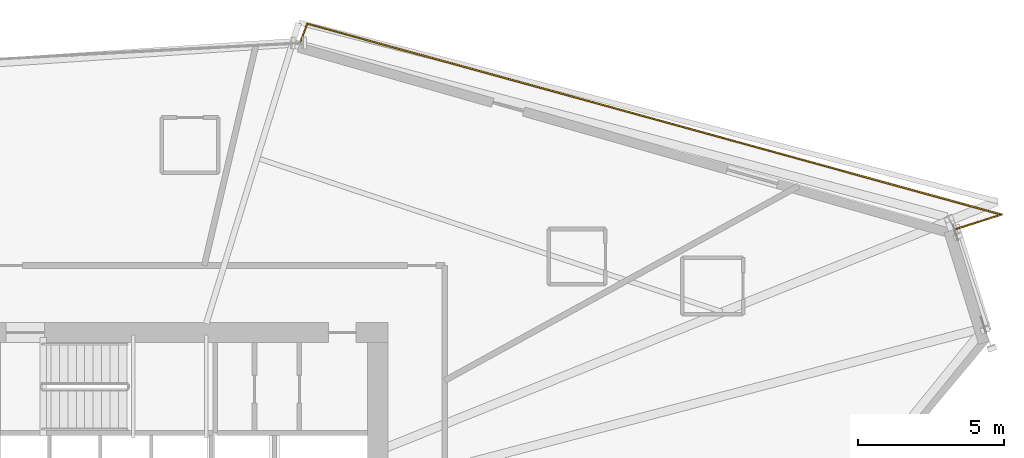
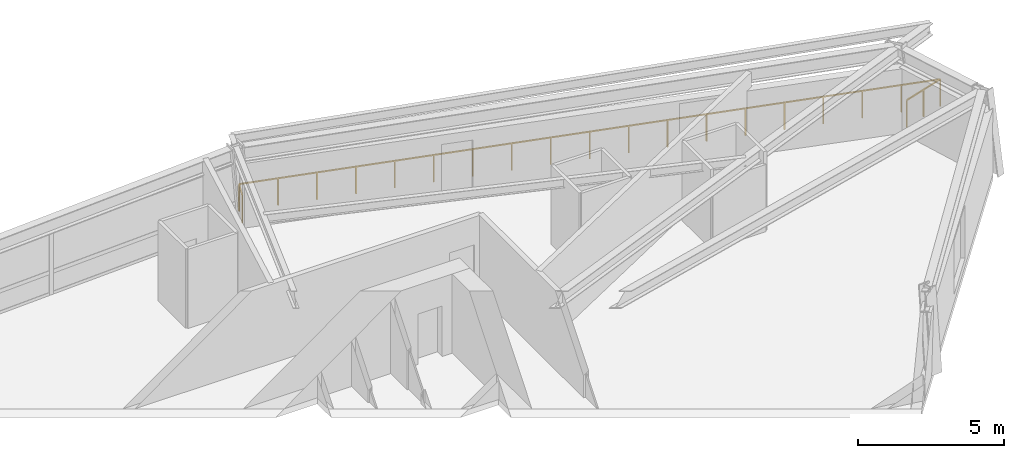
# One storey, part 21 of 21: 1 railing.
"""IFC4 building model written with IfcOpenShell, lengths in metres."""

from ifc_helpers import new_model, si_unit, direction, frame, origin, origin_2d, place, context, subcontext, project, spatial, rectangle, extrude, material, type_object, element, save


model = new_model("IFC4")

# Units and contexts
model_context = context("Model", 3, precision=1e-05, world=origin(), true_north=direction((0.0, 1.0)))
body_context = subcontext(model_context, "Body", "Model", "MODEL_VIEW")
ifc_project = project(units=[si_unit("LENGTHUNIT", "METRE"), si_unit("AREAUNIT", "SQUARE_METRE"), si_unit("VOLUMEUNIT", "CUBIC_METRE"), si_unit("PLANEANGLEUNIT", "RADIAN"), si_unit("MASSUNIT", "GRAM", prefix="KILO")], contexts=[model_context])

# Site, building, storey
site_placement = place(None, origin())
site = spatial("IfcSite", under=ifc_project, at=site_placement, CompositionType="ELEMENT")
building_placement = place(site_placement, origin())
building = spatial("IfcBuilding", under=site, at=building_placement, Name="Olszyna Solenne Hotel", CompositionType="ELEMENT")
storey_placement = place(building_placement, frame((0.0, 0.0, 105.699951171875)))
storey = spatial("IfcBuildingStorey", under=building, at=storey_placement, Name="L27", CompositionType="ELEMENT", Elevation=105.699951171875)

# Railing
ifc_material = material(Name="Anodised bronze aluminium", Category="aluminium")
railing_type = type_object("IfcRailingType", Name="GR-110", PredefinedType="BALUSTRADE", material=ifc_material)
railing_placement = place(storey_placement, frame((66.0634765625, 37.589599609375, 0.0)))
element("IfcRailing", 1, at=railing_placement, inside=storey, type_object=railing_type, Name="Loggia balcony balustrade guard GR-L27-LG1", PredefinedType="BALUSTRADE", context=body_context, shape_type="SweptSolid", body=[
    extrude(rectangle(XDim=0.048095703125, YDim=0.048095703125, at=origin_2d()), frame((0.0, 0.0, 1.1259765625), z_axis=(0.953626269863, 0.300993251465, 0.0), x_axis=(-0.300993251465, 0.953626269863, 0.0)), (0.0, 0.0, 1.0), 1.69189453125),
    extrude(rectangle(XDim=0.048095703125, YDim=0.048095703125, at=origin_2d()), frame((1.613525390625, 0.50927734375, 1.1259765625), z_axis=(-0.96418829644, 0.265218643779, 0.0), x_axis=(-0.265218643779, -0.96418829644, 0.0)), (0.0, 0.0, 1.0), 24.73828125),
    extrude(rectangle(XDim=0.048095703125, YDim=0.048095703125, at=origin_2d()), frame((-22.23876953125, 7.0703125, 1.1259765625), z_axis=(-0.354176894315, -0.935178446893, 0.0), x_axis=(0.935178446893, -0.354176894315, 0.0)), (0.0, 0.0, 1.0), 0.709228515625),
    extrude(rectangle(XDim=0.0419921875, YDim=0.0419921875, at=origin_2d()), origin(), (0.0, 0.0, 1.0), 1.101806640625),
    extrude(rectangle(XDim=0.0419921875, YDim=0.0419921875, at=origin_2d()), frame((0.806640625, 0.254638671875, 0.0)), (0.0, 0.0, 1.0), 1.101806640625),
    extrude(rectangle(XDim=0.0419921875, YDim=0.0419921875, at=origin_2d()), frame((1.613525390625, 0.50927734375, 0.0)), (0.0, 0.0, 1.0), 1.101806640625),
    extrude(rectangle(XDim=0.0419921875, YDim=0.0419921875, at=origin_2d()), frame((0.288330078125, 0.873779296875, 0.0)), (0.0, 0.0, 1.0), 1.101806640625),
    extrude(rectangle(XDim=0.0419921875, YDim=0.0419921875, at=origin_2d()), frame((-1.03662109375, 1.23828125, 0.0)), (0.0, 0.0, 1.0), 1.101806640625),
    extrude(rectangle(XDim=0.0419921875, YDim=0.0419921875, at=origin_2d()), frame((-2.36181640625, 1.602783203125, 0.0)), (0.0, 0.0, 1.0), 1.101806640625),
    extrude(rectangle(XDim=0.0419921875, YDim=0.0419921875, at=origin_2d()), frame((-3.68701171875, 1.96728515625, 0.0)), (0.0, 0.0, 1.0), 1.101806640625),
    extrude(rectangle(XDim=0.0419921875, YDim=0.0419921875, at=origin_2d()), frame((-5.01220703125, 2.331787109375, 0.0)), (0.0, 0.0, 1.0), 1.101806640625),
    extrude(rectangle(XDim=0.0419921875, YDim=0.0419921875, at=origin_2d()), frame((-6.337158203125, 2.6962890625, 0.0)), (0.0, 0.0, 1.0), 1.101806640625),
    extrude(rectangle(XDim=0.0419921875, YDim=0.0419921875, at=origin_2d()), frame((-7.662353515625, 3.060791015625, 0.0)), (0.0, 0.0, 1.0), 1.101806640625),
    extrude(rectangle(XDim=0.0419921875, YDim=0.0419921875, at=origin_2d()), frame((-8.987548828125, 3.42529296875, 0.0)), (0.0, 0.0, 1.0), 1.101806640625),
    extrude(rectangle(XDim=0.0419921875, YDim=0.0419921875, at=origin_2d()), frame((-10.3125, 3.789794921875, 0.0)), (0.0, 0.0, 1.0), 1.101806640625),
    extrude(rectangle(XDim=0.0419921875, YDim=0.0419921875, at=origin_2d()), frame((-11.6376953125, 4.154296875, 0.0)), (0.0, 0.0, 1.0), 1.101806640625),
    extrude(rectangle(XDim=0.0419921875, YDim=0.0419921875, at=origin_2d()), frame((-12.962890625, 4.518798828125, 0.0)), (0.0, 0.0, 1.0), 1.101806640625),
    extrude(rectangle(XDim=0.0419921875, YDim=0.0419921875, at=origin_2d()), frame((-14.2880859375, 4.88330078125, 0.0)), (0.0, 0.0, 1.0), 1.101806640625),
    extrude(rectangle(XDim=0.0419921875, YDim=0.0419921875, at=origin_2d()), frame((-15.613037109375, 5.247802734375, 0.0)), (0.0, 0.0, 1.0), 1.101806640625),
    extrude(rectangle(XDim=0.0419921875, YDim=0.0419921875, at=origin_2d()), frame((-16.938232421875, 5.6123046875, 0.0)), (0.0, 0.0, 1.0), 1.101806640625),
    extrude(rectangle(XDim=0.0419921875, YDim=0.0419921875, at=origin_2d()), frame((-18.263427734375, 5.976806640625, 0.0)), (0.0, 0.0, 1.0), 1.101806640625),
    extrude(rectangle(XDim=0.0419921875, YDim=0.0419921875, at=origin_2d()), frame((-19.588623046875, 6.34130859375, 0.0)), (0.0, 0.0, 1.0), 1.101806640625),
    extrude(rectangle(XDim=0.0419921875, YDim=0.0419921875, at=origin_2d()), frame((-20.91357421875, 6.705810546875, 0.0)), (0.0, 0.0, 1.0), 1.101806640625),
    extrude(rectangle(XDim=0.0419921875, YDim=0.0419921875, at=origin_2d()), frame((-22.23876953125, 7.0703125, 0.0)), (0.0, 0.0, 1.0), 1.101806640625),
    extrude(rectangle(XDim=0.0419921875, YDim=0.0419921875, at=origin_2d()), frame((-22.489990234375, 6.406982421875, 0.0)), (0.0, 0.0, 1.0), 1.101806640625),
])

save(model, "model.ifc")
